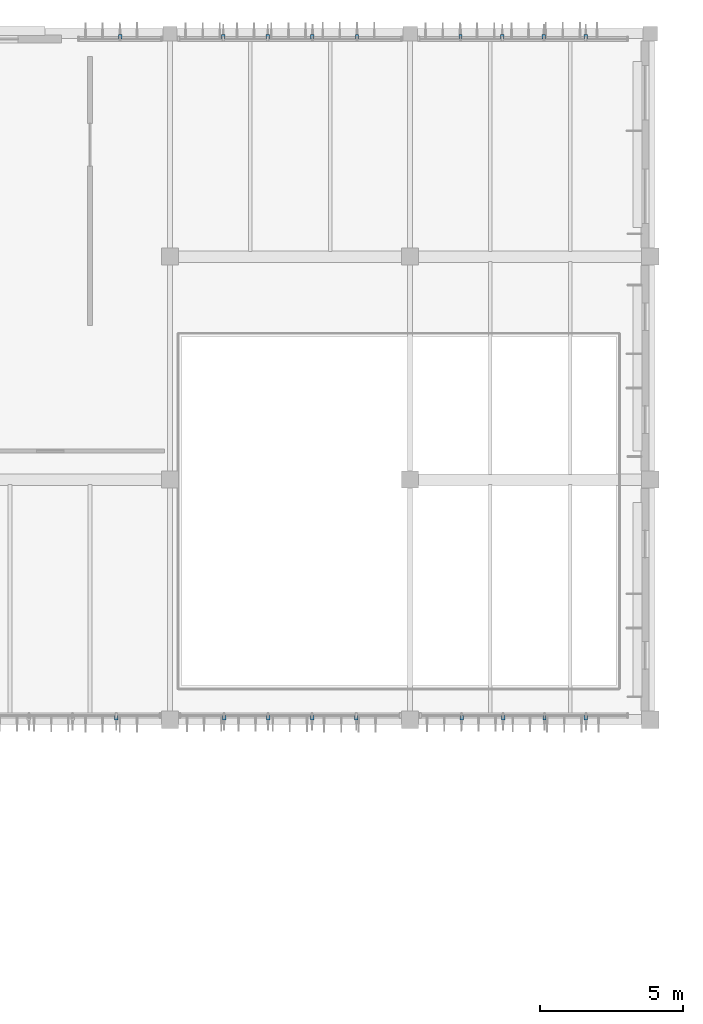
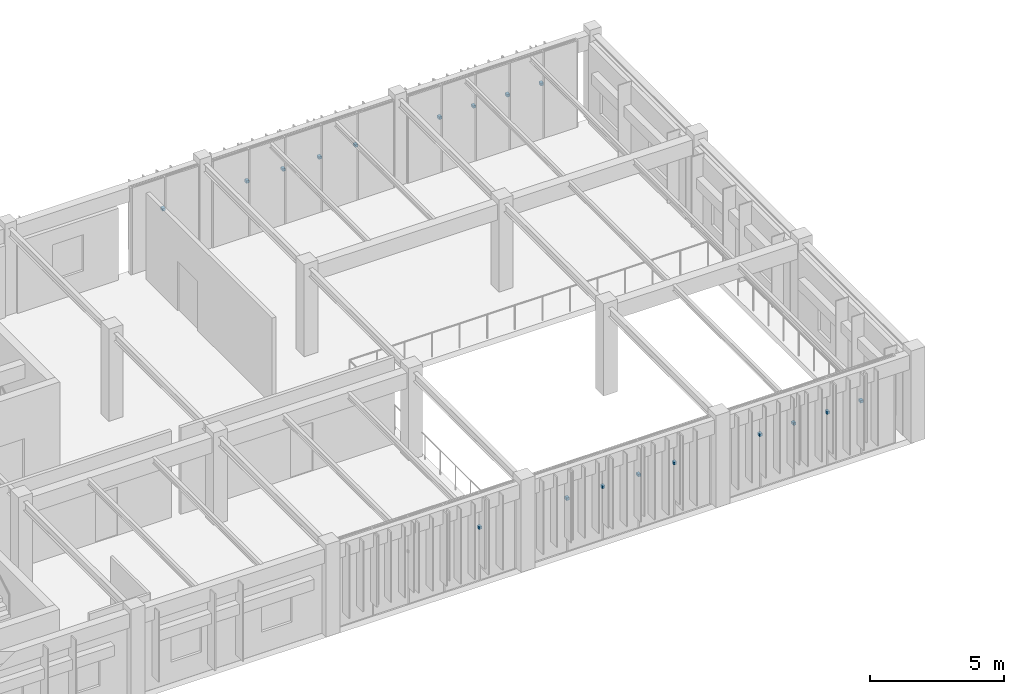
# One storey, part 59 of 122: 18 discrete accessories.
"""IFC4 building model written with IfcOpenShell, lengths in metres."""

import ifcopenshell
import ifcopenshell.guid

model = None  # the IFC model being written
_history = None  # IfcOwnerHistory: only IFC2X3 demands one
_inside = {}  # id of a spatial element -> (the spatial element, [elements in it])
_under = {}  # id of a project, library or spatial element -> (it, [spatial elements below it])
_declared = {}  # id of a project -> (the project, [libraries it declares])
_typed = {}  # id of a type object -> (the type object, [elements of that type])
_made_of = {}  # id of a material, layer set ... -> (it, [elements and type objects made of it])


def new_model(schema):
    """Start an empty IFC model of exactly this schema.

    Asked for "IFC4X3", IfcOpenShell would pick the latest addendum, in which some entities
    have other attributes; the version numbers below select the first issue.
    IFC2X3 requires an IfcOwnerHistory on every rooted entity: one is made here for all.
    """
    global model, _history
    if schema == "IFC4X3":
        model = ifcopenshell.file(schema_version=(4, 3, 0, 0))
    else:
        model = ifcopenshell.file(schema=schema)
    _inside.clear()
    _under.clear()
    _declared.clear()
    _typed.clear()
    _made_of.clear()
    _history = None
    if model.schema == "IFC2X3":
        org = make("IfcOrganization", Name="unknown")
        user = make(
            "IfcPersonAndOrganization",
            ThePerson=make("IfcPerson", FamilyName="unknown"),
            TheOrganization=org,
        )
        app = make(
            "IfcApplication",
            ApplicationDeveloper=org,
            Version="unknown",
            ApplicationFullName="unknown",
            ApplicationIdentifier="unknown",
        )
        _history = make(
            "IfcOwnerHistory",
            OwningUser=user,
            OwningApplication=app,
            ChangeAction="ADDED",
            CreationDate=0,
        )
    return model


def make(cls, **values):
    """One entity of the class cls with the attributes given. An attribute that is None is left unset."""
    return model.create_entity(
        cls, **{name: value for name, value in values.items() if value is not None}
    )


def rooted(cls, **values):
    """An entity with a GlobalId (a new one), such as an element, a storey or a relation."""
    return make(cls, GlobalId=ifcopenshell.guid.new(), OwnerHistory=_history, **values)


def si_unit(unit_type, name, prefix=None):
    """IfcSIUnit, for example si_unit("LENGTHUNIT", "METRE", prefix="MILLI")."""
    return make("IfcSIUnit", UnitType=unit_type, Prefix=prefix, Name=name)


def assignment(units):
    """IfcUnitAssignment: the units of a project."""
    return None if units is None else make("IfcUnitAssignment", Units=units)


def point(xyz):
    """IfcCartesianPoint."""
    return None if xyz is None else make("IfcCartesianPoint", Coordinates=xyz)


def direction(xyz):
    """IfcDirection."""
    return None if xyz is None else make("IfcDirection", DirectionRatios=xyz)


def frame(location, z_axis=None, x_axis=None):
    """IfcAxis2Placement3D, a coordinate frame: its origin and axes. An axis left out is left unset."""
    return make(
        "IfcAxis2Placement3D",
        Location=point(location),
        Axis=direction(z_axis),
        RefDirection=direction(x_axis),
    )


def frame_2d(location, x_axis=None):
    """IfcAxis2Placement2D, a coordinate frame in the plane: its origin and x axis."""
    return make(
        "IfcAxis2Placement2D", Location=point(location), RefDirection=direction(x_axis)
    )


def origin():
    """The frame at (0, 0, 0) with its axes left unset."""
    return frame((0.0, 0.0, 0.0))


def origin_2d():
    """The frame at (0, 0) in the plane with its x axis left unset."""
    return frame_2d((0.0, 0.0))


def place(relative_to, where):
    """IfcLocalPlacement: puts the frame where relative to a parent placement (None: the world)."""
    return make(
        "IfcLocalPlacement", PlacementRelTo=relative_to, RelativePlacement=where
    )


def context(
    kind, dimensions, precision=None, world=None, true_north=None, identifier=None
):
    """IfcGeometricRepresentationContext, for example the 3D "Model" context."""
    return make(
        "IfcGeometricRepresentationContext",
        ContextIdentifier=identifier,
        ContextType=kind,
        CoordinateSpaceDimension=dimensions,
        Precision=precision,
        WorldCoordinateSystem=world,
        TrueNorth=true_north,
    )


def subcontext(parent, identifier, kind, view, scale=None):
    """IfcGeometricRepresentationSubContext, for example "Body" below "Model"."""
    return make(
        "IfcGeometricRepresentationSubContext",
        ContextIdentifier=identifier,
        ContextType=kind,
        ParentContext=parent,
        TargetScale=scale,
        TargetView=view,
    )


def project(units=None, contexts=None):
    """IfcProject with its units and contexts."""
    return rooted(
        "IfcProject",
        Name="project",
        RepresentationContexts=contexts,
        UnitsInContext=assignment(units),
    )


def spatial(cls, under=None, at=None, **own):
    """A site, building, storey or space (cls), placed at a placement, below another one or the project."""
    s = rooted(cls, ObjectPlacement=at, **own)
    if under is not None:
        _under.setdefault(under.id(), (under, []))[1].append(s)
    return s


def profile(cls, at=None, kind="AREA", **sizes):
    """A parametric profile (cls). Its sizes go by their IFC names, for example OverallWidth=200.0."""
    return make(cls, ProfileType=kind, Position=at, **sizes)


def rectangle(**sizes):
    """IfcRectangleProfileDef."""
    return profile("IfcRectangleProfileDef", **sizes)


def extrude(swept, where, along, depth):
    """IfcExtrudedAreaSolid: the profile swept, set in the frame where, extruded along a direction by depth."""
    return make(
        "IfcExtrudedAreaSolid",
        SweptArea=swept,
        Position=where,
        ExtrudedDirection=direction(along),
        Depth=depth,
    )


def shape(context_of_items, identifier, shape_type, items):
    """IfcShapeRepresentation: the items that make up one representation, for example the "Body"."""
    return make(
        "IfcShapeRepresentation",
        ContextOfItems=context_of_items,
        RepresentationIdentifier=identifier,
        RepresentationType=shape_type,
        Items=items,
    )


def material(Name=None, Category=None):
    """IfcMaterial."""
    return make("IfcMaterial", Name=Name, Category=Category)


def made_of(thing, what):
    """Note that an element or type object is made of a material, layer set ...; save() writes the relation."""
    if what is not None:
        _made_of.setdefault(what.id(), (what, []))[1].append(thing)
    return thing


def type_object(cls, material=None, **own):
    """A type object (cls), such as IfcWallType, which elements share."""
    return made_of(rooted(cls, **own), material)


def element(
    cls,
    number,
    at=None,
    inside=None,
    cuts=None,
    type_object=None,
    material=None,
    context=None,
    identifier="Body",
    shape_type=None,
    held_by="IfcProductDefinitionShape",
    body=None,
    shapes=None,
    **own,
):
    """One element of the class cls, such as IfcWall. Its Tag is "e" and its number.

    at: its placement. inside: the storey or other place that contains it. cuts: it is an
    opening in that element (IfcRelVoidsElement). A single representation is given by context,
    identifier, shape_type and body (its items); several are given by shapes. held_by: the class
    of the entity that holds the representations. save() writes the other relations.
    """
    e = rooted(cls, Tag="e%d" % number, ObjectPlacement=at, **own)
    if body is not None:
        shapes = [shape(context, identifier, shape_type, body)]
    if shapes is not None:
        e.Representation = make(held_by, Representations=shapes)
    if inside is not None:
        _inside.setdefault(inside.id(), (inside, []))[1].append(e)
    if cuts is not None:
        rooted(
            "IfcRelVoidsElement", RelatingBuildingElement=cuts, RelatedOpeningElement=e
        )
    if type_object is not None:
        _typed.setdefault(type_object.id(), (type_object, []))[1].append(e)
    return made_of(e, material)


def aggregate(whole, parts):
    """IfcRelAggregates: a whole, such as a stair, and the parts it consists of."""
    return rooted("IfcRelAggregates", RelatingObject=whole, RelatedObjects=parts)


def save(model, path):
    """Write the relations noted so far, then the file.

    IfcRelAggregates (storeys below a building ...), IfcRelContainedInSpatialStructure (elements
    in a storey), IfcRelDefinesByType, IfcRelAssociatesMaterial and IfcRelDeclares: one each for
    every whole, place, type object, material and project.
    """
    for whole, parts in _under.values():
        aggregate(whole, parts)
    for where, things in _inside.values():
        rooted(
            "IfcRelContainedInSpatialStructure",
            RelatedElements=things,
            RelatingStructure=where,
        )
    for kind, things in _typed.values():
        rooted("IfcRelDefinesByType", RelatedObjects=things, RelatingType=kind)
    for what, things in _made_of.values():
        rooted("IfcRelAssociatesMaterial", RelatedObjects=things, RelatingMaterial=what)
    for by, libraries in _declared.values():
        rooted("IfcRelDeclares", RelatingContext=by, RelatedDefinitions=libraries)
    model.write(path)


model = new_model("IFC4")

# Units and contexts
model_context = context("Model", 3, precision=1e-05, world=origin(), true_north=direction((0.0, 1.0)))
body_context = subcontext(model_context, "Body", "Model", "MODEL_VIEW")
ifc_project = project(units=[si_unit("LENGTHUNIT", "METRE"), si_unit("AREAUNIT", "SQUARE_METRE"), si_unit("VOLUMEUNIT", "CUBIC_METRE"), si_unit("PLANEANGLEUNIT", "RADIAN"), si_unit("MASSUNIT", "GRAM", prefix="KILO")], contexts=[model_context])

# Site, building, storey
site_placement = place(None, origin())
site = spatial("IfcSite", under=ifc_project, at=site_placement, CompositionType="ELEMENT")
building_placement = place(site_placement, origin())
building = spatial("IfcBuilding", under=site, at=building_placement, Name="Tazoul Stagehouse", CompositionType="ELEMENT")
storey_placement = place(building_placement, frame((0.0, 0.0, 4.800048828125)))
storey = spatial("IfcBuildingStorey", under=building, at=storey_placement, Name="L01", CompositionType="ELEMENT", Elevation=4.800048828125)

# Discrete accessories
ifc_material = material(Name="Austenitic Stainless Steel EN 1.4401", Category="steel")
discrete_accessory_type = type_object("IfcDiscreteAccessoryType", Name="Stainless Steel Louvre Support Cleat Bracket", PredefinedType="BRACKET", material=ifc_material)
for number, where, z_axis, x_axis, name in (
    (1, (132.050048828125, 111.699951171875, 2.3486328125), (0.0, 0.0, 1.0), (1.0, 0.0, 0.0), "Cleat Bracket BRK-01 CW-V3-N3-L01-B1-BRK01"),
    (2, (135.659912109375, 111.699951171875, 2.3486328125), (0.0, 0.0, 1.0), (1.0, 0.0, 0.0), "Cleat Bracket BRK-01 CW-V3-N3-L01-B2-BRK01"),
    (3, (137.219970703125, 111.699951171875, 2.3486328125), (0.0, 0.0, 1.0), (1.0, 0.0, 0.0), "Cleat Bracket BRK-01 CW-V3-N3-L01-B2-BRK02"),
    (4, (138.780029296875, 111.699951171875, 2.3486328125), (0.0, 0.0, 1.0), (1.0, 0.0, 0.0), "Cleat Bracket BRK-01 CW-V3-N3-L01-B2-BRK03"),
    (5, (140.340087890625, 111.699951171875, 2.3486328125), (0.0, 0.0, 1.0), (1.0, 0.0, 0.0), "Cleat Bracket BRK-01 CW-V3-N3-L01-B2-BRK04"),
    (6, (143.9599609375, 111.699951171875, 2.3486328125), (0.0, 0.0, 1.0), (1.0, 0.0, 0.0), "Cleat Bracket BRK-01 CW-V3-N3-L01-B3-BRK01"),
    (7, (145.419921875, 111.699951171875, 2.3486328125), (0.0, 0.0, 1.0), (1.0, 0.0, 0.0), "Cleat Bracket BRK-01 CW-V3-N3-L01-B3-BRK02"),
    (8, (146.8798828125, 111.699951171875, 2.3486328125), (0.0, 0.0, 1.0), (1.0, 0.0, 0.0), "Cleat Bracket BRK-01 CW-V3-N3-L01-B3-BRK03"),
    (9, (148.340087890625, 111.699951171875, 2.3486328125), (0.0, 0.0, 1.0), (1.0, 0.0, 0.0), "Cleat Bracket BRK-01 CW-V3-N3-L01-B3-BRK04"),
    (10, (131.919921875, 87.8701171875, 2.3486328125), (0.0, 0.0, 1.0), (1.0, 0.0, 0.0), "Cleat Bracket BRK-01 CW-V3-S2-L01-B1-BRK04"),
    (11, (135.68994140625, 87.8701171875, 2.3486328125), (0.0, 0.0, 1.0), (1.0, 0.0, 0.0), "Cleat Bracket BRK-01 CW-V3-S2-L01-B2-BRK01"),
    (12, (137.22998046875, 87.8701171875, 2.3486328125), (0.0, 0.0, 1.0), (1.0, 0.0, 0.0), "Cleat Bracket BRK-01 CW-V3-S2-L01-B2-BRK02"),
    (13, (138.77001953125, 87.8701171875, 2.3486328125), (0.0, 0.0, 1.0), (1.0, 0.0, 0.0), "Cleat Bracket BRK-01 CW-V3-S2-L01-B2-BRK03"),
    (14, (140.31005859375, 87.8701171875, 2.3486328125), (0.0, 0.0, 1.0), (1.0, 0.0, 0.0), "Cleat Bracket BRK-01 CW-V3-S2-L01-B2-BRK04"),
    (15, (144.0, 87.8701171875, 2.3486328125), (0.0, 0.0, 1.0), (1.0, 0.0, 0.0), "Cleat Bracket BRK-01 CW-V3-S2-L01-B3-BRK01"),
    (16, (145.449951171875, 87.8701171875, 2.3486328125), (0.0, 0.0, 1.0), (1.0, 0.0, 0.0), "Cleat Bracket BRK-01 CW-V3-S2-L01-B3-BRK02"),
    (17, (146.89990234375, 87.8701171875, 2.3486328125), (0.0, 0.0, 1.0), (1.0, 0.0, 0.0), "Cleat Bracket BRK-01 CW-V3-S2-L01-B3-BRK03"),
    (18, (148.35009765625, 87.8701171875, 2.3486328125), (0.0, 0.0, 1.0), (1.0, 0.0, 0.0), "Cleat Bracket BRK-01 CW-V3-S2-L01-B3-BRK04"),
):
    element("IfcDiscreteAccessory", number, at=place(storey_placement, frame(where, z_axis=z_axis, x_axis=x_axis)), inside=storey, type_object=discrete_accessory_type, Name=name, PredefinedType="BRACKET", context=body_context, shape_type="SweptSolid", body=[
        extrude(rectangle(XDim=0.1201171875, YDim=0.159912109375, at=origin_2d()), origin(), (0.0, 0.0, 1.0), 0.1201171875),
    ])

save(model, "model.ifc")
